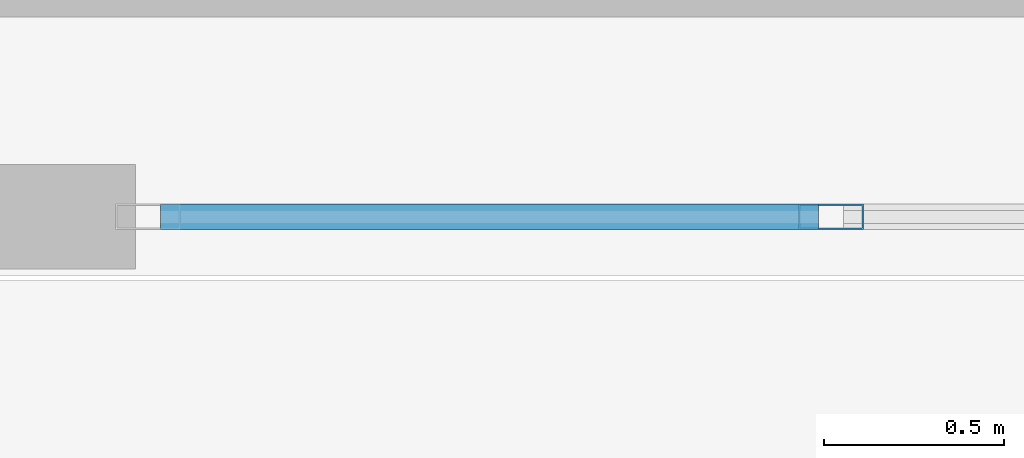
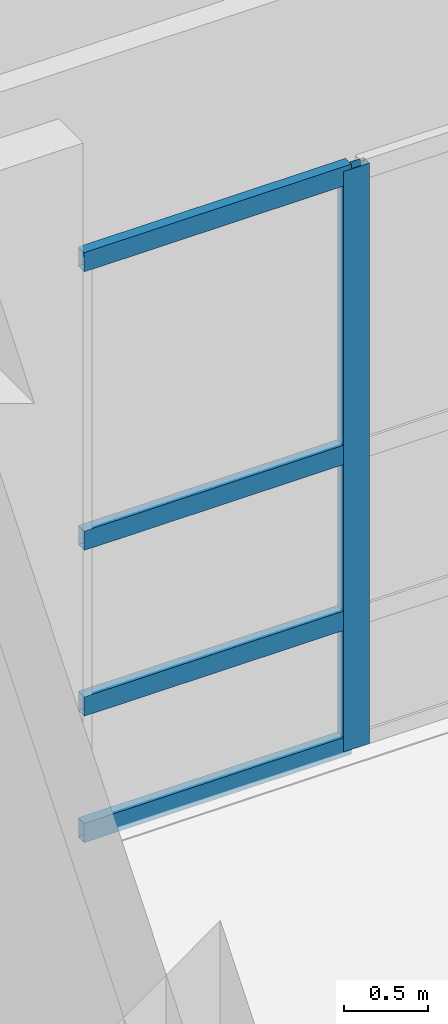
# One storey, part 72 of 148: 5 members, 1 element without a shape of its own.
"""IFC4 building model written with IfcOpenShell, lengths in metres."""

from ifc_helpers import new_model, si_unit, direction, frame, origin, origin_2d, place, context, subcontext, project, spatial, hollow_rectangle, extrude, material, layer, layer_set, material_profile, profile_set, type_object, element, aggregate, save


model = new_model("IFC4")

# Units and contexts
model_context = context("Model", 3, precision=1e-05, world=origin(), true_north=direction((0.0, 1.0)))
body_context = subcontext(model_context, "Body", "Model", "MODEL_VIEW")
ifc_project = project(units=[si_unit("LENGTHUNIT", "METRE"), si_unit("AREAUNIT", "SQUARE_METRE"), si_unit("VOLUMEUNIT", "CUBIC_METRE"), si_unit("PLANEANGLEUNIT", "RADIAN"), si_unit("MASSUNIT", "GRAM", prefix="KILO")], contexts=[model_context])

# Site, building, storey
site_placement = place(None, origin())
site = spatial("IfcSite", under=ifc_project, at=site_placement, CompositionType="ELEMENT")
building_placement = place(site_placement, origin())
building = spatial("IfcBuilding", under=site, at=building_placement, Name="Quendrovan Civic Courthouse", CompositionType="ELEMENT")
storey_placement = place(building_placement, origin())
storey = spatial("IfcBuildingStorey", under=building, at=storey_placement, Name="L01", CompositionType="ELEMENT", Elevation=0.0)

# Curtain wall, members
ifc_material_1 = material(Name="Bronze anodised aluminium and low-E glass", Category="aluminium")
ifc_layer = layer(ifc_material_1, 0.179931640625, Name="Bronze anodised aluminium and low-E glass")
ifc_layer_set = layer_set([ifc_layer], Name="Bronze anodised aluminium and low-E glass")
curtain_wall_type = type_object("IfcCurtainWallType", Name="CW-U58x42", PredefinedType="USERDEFINED", material=ifc_layer_set)
curtain_wall_placement = place(storey_placement, origin())
curtain_wall = element("IfcCurtainWall", 1, at=curtain_wall_placement, inside=storey, type_object=curtain_wall_type, Name="L01 Unitised Hurricane Curtain Wall CW-050", ObjectType="UNITISED CURTAIN WALL", PredefinedType="USERDEFINED")
ifc_material_2 = material(Name="Bronze anodised aluminium", Category="aluminium")
ifc_material_profile_1 = material_profile(ifc_material_2, hollow_rectangle(XDim=0.070068359375, YDim=0.179931640625, WallThickness=0.00390625, at=origin_2d()), Name="CW-MULL-70x180")
ifc_profile_set_1 = profile_set([ifc_material_profile_1], Name="Bronze anodised aluminium")
member_type_1 = type_object("IfcMemberType", Name="CW-MULL-A", PredefinedType="MULLION", material=ifc_profile_set_1)
member_1_placement = place(storey_placement, frame((95.63330078125, 91.364990234375, 0.0), z_axis=(0.0, 0.0, 1.0), x_axis=(0.0, -1.0, 0.0)))
member_1 = element("IfcMember", 2, at=member_1_placement, type_object=member_type_1, Name="CW-050 mullion 3", PredefinedType="MULLION", context=body_context, shape_type="SweptSolid", body=[
    extrude(hollow_rectangle(XDim=0.070068359375, YDim=0.179931640625, WallThickness=0.00390625, at=origin_2d()), origin(), (0.0, 0.0, 1.0), 4.199951171875),
])
ifc_material_profile_2 = material_profile(ifc_material_2, hollow_rectangle(XDim=0.070068359375, YDim=0.139892578125, WallThickness=0.00390625, at=origin_2d()), Name="CW-TRAN-70x140")
ifc_profile_set_2 = profile_set([ifc_material_profile_2], Name="Bronze anodised aluminium")
member_type_2 = type_object("IfcMemberType", Name="CW-TRAN-A", PredefinedType="USERDEFINED", material=ifc_profile_set_2)
member_2_placement = place(storey_placement, frame((95.598388671875, 91.364990234375, 0.034912109375), z_axis=(-1.0, 0.0, 0.0), x_axis=(0.0, -1.0, 0.0)))
member_2 = element("IfcMember", 3, at=member_2_placement, type_object=member_type_2, Name="CW-050 transom 3.1", ObjectType="TRANSOM", PredefinedType="USERDEFINED", context=body_context, shape_type="SweptSolid", body=[
    extrude(hollow_rectangle(XDim=0.070068359375, YDim=0.139892578125, WallThickness=0.00390625, at=origin_2d()), origin(), (0.0, 0.0, 1.0), 1.828369140625),
])
member_3_placement = place(storey_placement, frame((95.598388671875, 91.364990234375, 0.949951171875), z_axis=(-1.0, 0.0, 0.0), x_axis=(0.0, -1.0, 0.0)))
member_3 = element("IfcMember", 4, at=member_3_placement, type_object=member_type_2, Name="CW-050 transom 3.2", ObjectType="TRANSOM", PredefinedType="USERDEFINED", context=body_context, shape_type="SweptSolid", body=[
    extrude(hollow_rectangle(XDim=0.070068359375, YDim=0.139892578125, WallThickness=0.00390625, at=origin_2d()), origin(), (0.0, 0.0, 1.0), 1.828369140625),
])
member_4_placement = place(storey_placement, frame((95.598388671875, 91.364990234375, 2.14990234375), z_axis=(-1.0, 0.0, 0.0), x_axis=(0.0, -1.0, 0.0)))
member_4 = element("IfcMember", 5, at=member_4_placement, type_object=member_type_2, Name="CW-050 transom 3.3", ObjectType="TRANSOM", PredefinedType="USERDEFINED", context=body_context, shape_type="SweptSolid", body=[
    extrude(hollow_rectangle(XDim=0.070068359375, YDim=0.139892578125, WallThickness=0.00390625, at=origin_2d()), origin(), (0.0, 0.0, 1.0), 1.828369140625),
])
member_5_placement = place(storey_placement, frame((95.598388671875, 91.364990234375, 4.1650390625), z_axis=(-1.0, 0.0, 0.0), x_axis=(0.0, -1.0, 0.0)))
member_5 = element("IfcMember", 6, at=member_5_placement, type_object=member_type_2, Name="CW-050 transom 3.4", ObjectType="TRANSOM", PredefinedType="USERDEFINED", context=body_context, shape_type="SweptSolid", body=[
    extrude(hollow_rectangle(XDim=0.070068359375, YDim=0.139892578125, WallThickness=0.00390625, at=origin_2d()), origin(), (0.0, 0.0, 1.0), 1.828369140625),
])
aggregate(curtain_wall, [member_1, member_2, member_3, member_4, member_5])

save(model, "model.ifc")
